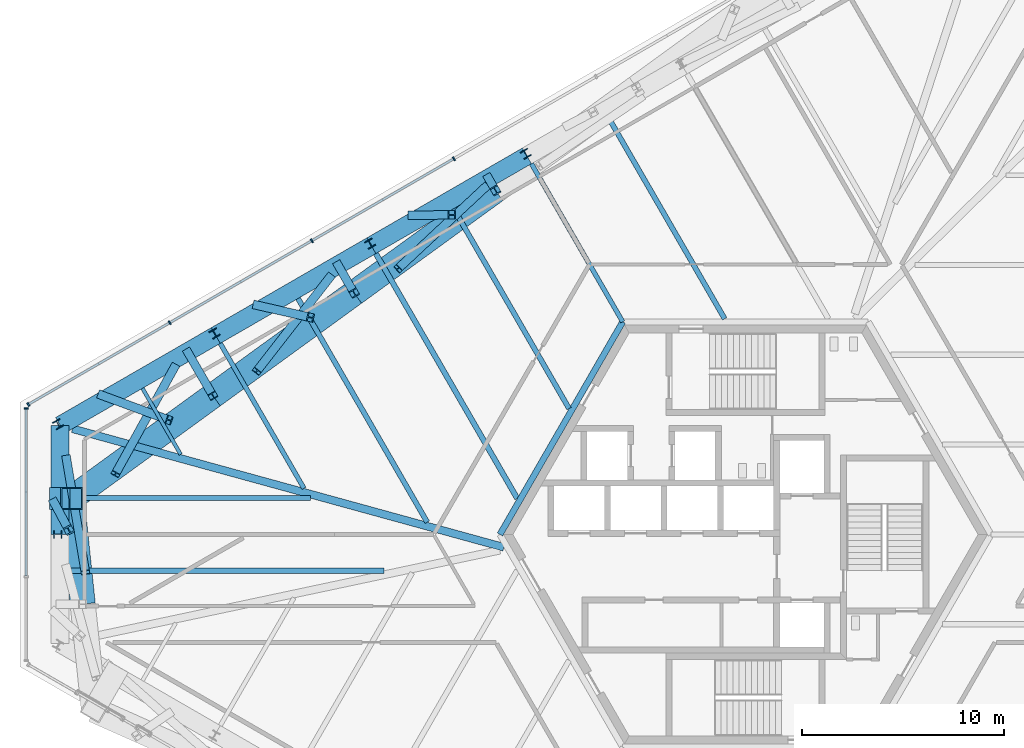
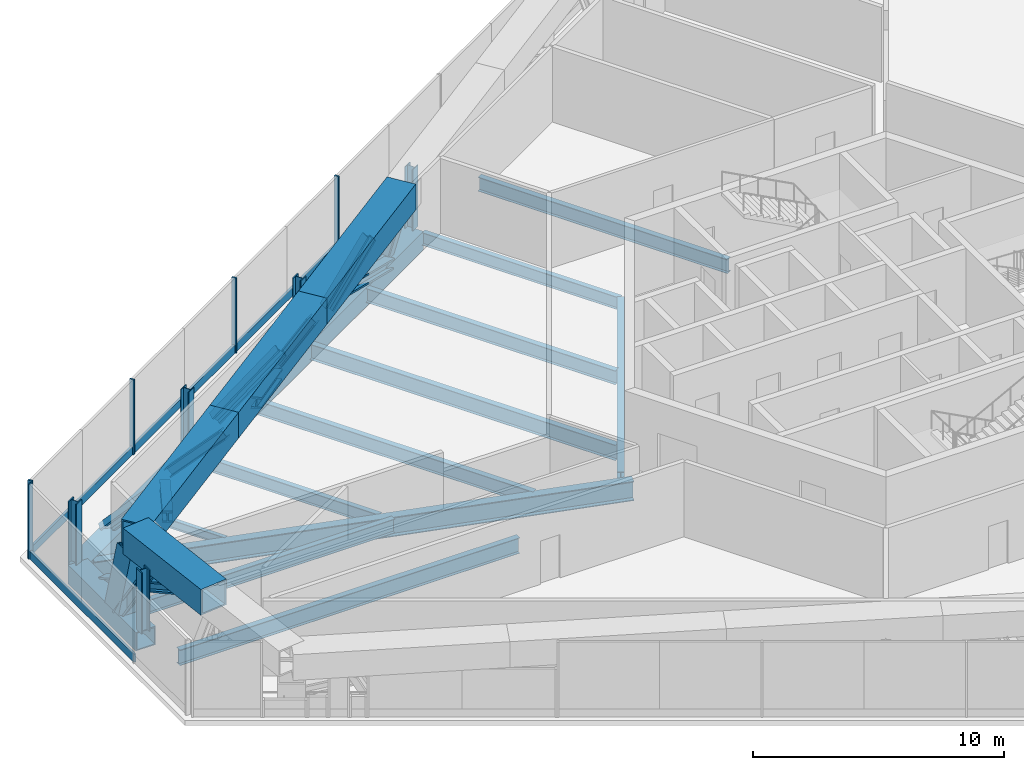
# One storey, part 5 of 23: 34 members, 11 beams, 2 elements without a shape of their own.
"""IFC4 building model written with IfcOpenShell, lengths in metres."""

from ifc_helpers import new_model, si_unit, direction, frame, origin, origin_2d, place, context, subcontext, project, spatial, rectangle, hollow_rectangle, i_section, extrude, source, transform, mapped, material, material_profile, profile_set, type_object, element, aggregate, save


model = new_model("IFC4")

# Units and contexts
model_context = context("Model", 3, precision=1e-05, world=origin(), true_north=direction((0.0, 1.0)))
body_context = subcontext(model_context, "Body", "Model", "MODEL_VIEW")
ifc_project = project(units=[si_unit("LENGTHUNIT", "METRE"), si_unit("AREAUNIT", "SQUARE_METRE"), si_unit("VOLUMEUNIT", "CUBIC_METRE"), si_unit("PLANEANGLEUNIT", "RADIAN"), si_unit("MASSUNIT", "GRAM", prefix="KILO")], contexts=[model_context])

# Site, building, storey
site_placement = place(None, origin())
site = spatial("IfcSite", under=ifc_project, at=site_placement, CompositionType="ELEMENT")
building_placement = place(site_placement, origin())
building = spatial("IfcBuilding", under=site, at=building_placement, Name="Triune Harvest Tower", CompositionType="ELEMENT")
storey_placement = place(building_placement, frame((0.0, 0.0, 54.699951171875)))
storey = spatial("IfcBuildingStorey", under=building, at=storey_placement, Name="L12", CompositionType="ELEMENT", Elevation=54.699951171875)

# Beam
ifc_material_1 = material(Name="Steel ASTM A992 Gr 50", Category="steel")
ifc_material_profile_1 = material_profile(ifc_material_1, i_section(OverallWidth=0.253662109375, OverallDepth=0.683349609375, WebThickness=0.012451171875, FlangeThickness=0.01904296875, at=origin_2d()), Name="W27x94")
ifc_profile_set_1 = profile_set([ifc_material_profile_1], Name="Steel ASTM A992 Gr 50")
beam_type_1 = type_object("IfcBeamType", Name="JT-4 Floor joist W27x94", PredefinedType="JOIST", material=ifc_profile_set_1)
beam_1_placement = place(storey_placement, frame((-33.53857421875, 1.80322265625, -0.591552734375), z_axis=(1.0, 0.0, 0.0), x_axis=(0.0, 1.0, 0.0)))
element("IfcBeam", 1, at=beam_1_placement, inside=storey, type_object=beam_type_1, Name="beam/L12/JT25", PredefinedType="JOIST", context=body_context, shape_type="SweptSolid", body=[
    extrude(i_section(OverallWidth=0.253662109375, OverallDepth=0.683349609375, WebThickness=0.012451171875, FlangeThickness=0.01904296875, at=origin_2d()), origin(), (0.0, 0.0, 1.0), 11.95361328125),
])

# Members
ifc_material_2 = material(Name="Steel ASTM A992 Gr 50", Category="steel")
ifc_material_profile_2 = material_profile(ifc_material_2, i_section(OverallWidth=0.424072265625, OverallDepth=0.47509765625, WebThickness=0.0478515625, FlangeThickness=0.0771484375, at=origin_2d()), Name="W14x426")
ifc_profile_set_2 = profile_set([ifc_material_profile_2], Name="Steel ASTM A992 Gr 50")
member_type_1 = type_object("IfcMemberType", Name="TD-1 Belt truss diagonal W14x426", PredefinedType="BRACE", material=ifc_profile_set_2)
member_1_placement = place(storey_placement, frame((-16.541015625, 15.829833984375, -0.324951171875), z_axis=(0.582478043614, 0.007288191576, 0.812813761554), x_axis=(-0.01251140915, 0.999921729257, 0.0)))
element("IfcMember", 2, at=member_1_placement, inside=storey, type_object=member_type_1, Name="truss/L12/TD24", PredefinedType="BRACE", context=body_context, shape_type="SweptSolid", body=[
    extrude(i_section(OverallWidth=0.424072265625, OverallDepth=0.47509765625, WebThickness=0.0478515625, FlangeThickness=0.0771484375, at=origin_2d()), origin(), (0.0, 0.0, 1.0), 3.38330078125),
])
member_2_placement = place(storey_placement, frame((-20.571044921875, 12.810302734375, -0.324951171875), z_axis=(-0.557713307524, -0.717165964727, 0.417886163504), x_axis=(0.78939619233, -0.61388407011, 0.0)))
element("IfcMember", 3, at=member_2_placement, inside=storey, type_object=member_type_1, Name="truss/L12/TD25", PredefinedType="BRACE", context=body_context, shape_type="SweptSolid", body=[
    extrude(i_section(OverallWidth=0.424072265625, OverallDepth=0.47509765625, WebThickness=0.0478515625, FlangeThickness=0.0771484375, at=origin_2d()), origin(), (0.0, 0.0, 1.0), 6.580810546875),
])
member_3_placement = place(storey_placement, frame((-34.28857421875, 1.58203125, -0.324951171875), z_axis=(0.232028532055, -0.432655869439, 0.871189795023), x_axis=(0.881269102565, 0.472614820825, 0.0)))
element("IfcMember", 4, at=member_3_placement, inside=storey, type_object=member_type_1, Name="truss/L12/TD30", PredefinedType="BRACE", context=body_context, shape_type="SweptSolid", body=[
    extrude(i_section(OverallWidth=0.424072265625, OverallDepth=0.47509765625, WebThickness=0.0478515625, FlangeThickness=0.0771484375, at=origin_2d()), origin(), (0.0, 0.0, 1.0), 3.156494140625),
])
ifc_material_3 = material(Name="Steel ASTM A992 Gr 50", Category="steel")
ifc_material_profile_3 = material_profile(ifc_material_3, i_section(OverallWidth=0.411376953125, OverallDepth=0.434326171875, WebThickness=0.035888671875, FlangeThickness=0.057373046875, at=origin_2d()), Name="W14x311")
ifc_profile_set_3 = profile_set([ifc_material_profile_3], Name="Steel ASTM A992 Gr 50")
member_type_2 = type_object("IfcMemberType", Name="TV-1 Belt truss strut W14x311", PredefinedType="STRUT", material=ifc_profile_set_3)
member_4_placement = place(storey_placement, frame((-27.67041015625, 9.057861328125, -0.27490234375), z_axis=(0.340711714033, -0.590090451111, 0.731921298658), x_axis=(0.866010893236, 0.500025132165, 0.0)))
element("IfcMember", 5, at=member_4_placement, inside=storey, type_object=member_type_2, Name="truss/L12/TS14", PredefinedType="STRUT", context=body_context, shape_type="SweptSolid", body=[
    extrude(i_section(OverallWidth=0.411376953125, OverallDepth=0.434326171875, WebThickness=0.035888671875, FlangeThickness=0.057373046875, at=origin_2d()), origin(), (0.0, 0.0, 1.0), 3.68896484375),
])

# Beams
ifc_material_4 = material(Name="Steel ASTM A992 Gr 50", Category="steel")
ifc_material_profile_4 = material_profile(ifc_material_4, i_section(OverallWidth=0.3046875, OverallDepth=0.914306640625, WebThickness=0.0166015625, FlangeThickness=0.02587890625, at=origin_2d()), Name="W36x160")
ifc_profile_set_4 = profile_set([ifc_material_profile_4], Name="Steel ASTM A992 Gr 50")
beam_type_2 = type_object("IfcBeamType", Name="CG-1 Core ring girder W36x160", PredefinedType="BEAM", material=ifc_profile_set_4)
shared_shape_1 = source(origin(), body_context, "Body", "SweptSolid", [
    extrude(i_section(OverallWidth=0.3046875, OverallDepth=0.914306640625, WebThickness=0.0166015625, FlangeThickness=0.02587890625, at=origin_2d()), origin(), (0.0, 0.0, 1.0), 12.176025390625),
])
beam_2_placement = place(storey_placement, frame((-6.087890625, 10.544677734375, -0.70703125), z_axis=(-0.5000099932, -0.866019634131, 0.0), x_axis=(0.866019634131, -0.5000099932, 0.0)))
element("IfcBeam", 6, at=beam_2_placement, inside=storey, type_object=beam_type_2, Name="beam/L12/CG3", PredefinedType="BEAM", context=body_context, shape_type="MappedRepresentation", body=[
    mapped(shared_shape_1, transform((0.0, 0.0, 0.0), scale=1.0)),
])
ifc_material_5 = material(Name="Steel ASTM A992 Gr 50", Category="steel")
ifc_material_profile_5 = material_profile(ifc_material_5, i_section(OverallWidth=0.383544921875, OverallDepth=0.9423828125, WebThickness=0.022216796875, FlangeThickness=0.039794921875, at=origin_2d()), Name="W36x232")
ifc_profile_set_5 = profile_set([ifc_material_profile_5], Name="Steel ASTM A992 Gr 50")
beam_type_3 = type_object("IfcBeamType", Name="HG-1 Hip girder W36x232", PredefinedType="BEAM", material=ifc_profile_set_5)
shared_shape_2 = source(origin(), body_context, "Body", "SweptSolid", [
    extrude(i_section(OverallWidth=0.383544921875, OverallDepth=0.9423828125, WebThickness=0.022216796875, FlangeThickness=0.039794921875, at=origin_2d()), origin(), (0.0, 0.0, 1.0), 22.1865234375),
])
beam_3_placement = place(storey_placement, frame((-33.37890625, 5.242431640625, -0.72119140625), z_axis=(0.9642700007, -0.264921433165, 0.0), x_axis=(0.264921433165, 0.9642700007, 0.0)))
element("IfcBeam", 7, at=beam_3_placement, inside=storey, type_object=beam_type_3, Name="beam/L12/HG4", PredefinedType="BEAM", context=body_context, shape_type="MappedRepresentation", body=[
    mapped(shared_shape_2, transform((0.0, 0.0, 0.0), scale=1.0)),
])
ifc_material_6 = material(Name="Steel ASTM A992 Gr 50", Category="steel")
ifc_material_profile_6 = material_profile(ifc_material_6, i_section(OverallWidth=0.2666015625, OverallDepth=0.7568359375, WebThickness=0.013916015625, FlangeThickness=0.019287109375, at=origin_2d()), Name="W30x108")
ifc_profile_set_6 = profile_set([ifc_material_profile_6], Name="Steel ASTM A992 Gr 50")
beam_type_4 = type_object("IfcBeamType", Name="JT-5 Floor joist W30x108", PredefinedType="JOIST", material=ifc_profile_set_6)
shared_shape_3 = source(origin(), body_context, "Body", "SweptSolid", [
    extrude(i_section(OverallWidth=0.2666015625, OverallDepth=0.7568359375, WebThickness=0.013916015625, FlangeThickness=0.019287109375, at=origin_2d()), origin(), (0.0, 0.0, 1.0), 14.021728515625),
])
beam_4_placement = place(storey_placement, frame((-18.3310546875, 13.930419921875, -0.62841796875), z_axis=(0.499989226071, -0.866031624026, 0.0), x_axis=(0.866031624026, 0.499989226071, 0.0)))
element("IfcBeam", 8, at=beam_4_placement, inside=storey, type_object=beam_type_4, Name="beam/L12/JT21", PredefinedType="JOIST", context=body_context, shape_type="MappedRepresentation", body=[
    mapped(shared_shape_3, transform((0.0, 0.0, 0.0), scale=1.0)),
])
shared_shape_4 = source(origin(), body_context, "Body", "SweptSolid", [
    extrude(i_section(OverallWidth=0.253662109375, OverallDepth=0.683349609375, WebThickness=0.012451171875, FlangeThickness=0.01904296875, at=origin_2d()), origin(), (0.0, 0.0, 1.0), 11.44970703125),
])
beam_5_placement = place(storey_placement, frame((-6.756591796875, 20.61279296875, -0.591552734375), z_axis=(0.49999870171, -0.866026153351, 0.0), x_axis=(0.866026153351, 0.49999870171, 0.0)))
element("IfcBeam", 9, at=beam_5_placement, inside=storey, type_object=beam_type_1, Name="beam/L12/JT18", PredefinedType="JOIST", context=body_context, shape_type="MappedRepresentation", body=[
    mapped(shared_shape_4, transform((0.0, 0.0, 0.0), scale=1.0)),
])
ifc_material_7 = material(Name="Steel ASTM A992 Gr 50", Category="steel")
ifc_material_profile_7 = material_profile(ifc_material_7, i_section(OverallWidth=0.22900390625, OverallDepth=0.612060546875, WebThickness=0.011962890625, FlangeThickness=0.01953125, at=origin_2d()), Name="W24x84")
ifc_profile_set_7 = profile_set([ifc_material_profile_7], Name="Steel ASTM A992 Gr 50")
beam_type_5 = type_object("IfcBeamType", Name="JT-3 Floor joist W24x84", PredefinedType="JOIST", material=ifc_profile_set_7)
shared_shape_5 = source(origin(), body_context, "Body", "SweptSolid", [
    extrude(i_section(OverallWidth=0.22900390625, OverallDepth=0.612060546875, WebThickness=0.011962890625, FlangeThickness=0.01953125, at=origin_2d()), origin(), (0.0, 0.0, 1.0), 9.053466796875),
])
beam_6_placement = place(storey_placement, frame((-10.61474609375, 18.38525390625, -0.55615234375), z_axis=(0.500008011075, -0.866020778539, 0.0), x_axis=(0.866020778539, 0.500008011075, 0.0)))
element("IfcBeam", 10, at=beam_6_placement, inside=storey, type_object=beam_type_5, Name="beam/L12/JT19", PredefinedType="JOIST", context=body_context, shape_type="MappedRepresentation", body=[
    mapped(shared_shape_5, transform((0.0, 0.0, 0.0), scale=1.0)),
])
shared_shape_6 = source(origin(), body_context, "Body", "SweptSolid", [
    extrude(i_section(OverallWidth=0.253662109375, OverallDepth=0.683349609375, WebThickness=0.012451171875, FlangeThickness=0.01904296875, at=origin_2d()), origin(), (0.0, 0.0, 1.0), 12.8125),
])
beam_7_placement = place(storey_placement, frame((-22.189208984375, 11.702880859375, -0.591552734375), z_axis=(0.500000108836, -0.866025340948, 0.0), x_axis=(0.866025340948, 0.500000108836, 0.0)))
element("IfcBeam", 11, at=beam_7_placement, inside=storey, type_object=beam_type_1, Name="beam/L12/JT22", PredefinedType="JOIST", context=body_context, shape_type="MappedRepresentation", body=[
    mapped(shared_shape_6, transform((0.0, 0.0, 0.0), scale=1.0)),
])
shared_shape_7 = source(origin(), body_context, "Body", "SweptSolid", [
    extrude(i_section(OverallWidth=0.22900390625, OverallDepth=0.612060546875, WebThickness=0.011962890625, FlangeThickness=0.01953125, at=origin_2d()), origin(), (0.0, 0.0, 1.0), 8.300537109375),
])
beam_8_placement = place(storey_placement, frame((-26.04736328125, 9.475341796875, -0.55615234375), z_axis=(0.500011000363, -0.866019052629, 0.0), x_axis=(0.866019052629, 0.500011000363, 0.0)))
element("IfcBeam", 12, at=beam_8_placement, inside=storey, type_object=beam_type_5, Name="beam/L12/JT23", PredefinedType="JOIST", context=body_context, shape_type="MappedRepresentation", body=[
    mapped(shared_shape_7, transform((0.0, 0.0, 0.0), scale=1.0)),
])
ifc_material_8 = material(Name="Steel ASTM A992 Gr 50", Category="steel")
ifc_material_profile_8 = material_profile(ifc_material_8, i_section(OverallWidth=0.180908203125, OverallDepth=0.41650390625, WebThickness=0.010986328125, FlangeThickness=0.01806640625, at=origin_2d()), Name="W16x57")
ifc_profile_set_8 = profile_set([ifc_material_profile_8], Name="Steel ASTM A992 Gr 50")
beam_type_6 = type_object("IfcBeamType", Name="JT-1 Floor joist W16x57", PredefinedType="JOIST", material=ifc_profile_set_8)
shared_shape_8 = source(origin(), body_context, "Body", "SweptSolid", [
    extrude(i_section(OverallWidth=0.180908203125, OverallDepth=0.41650390625, WebThickness=0.010986328125, FlangeThickness=0.01806640625, at=origin_2d()), origin(), (0.0, 0.0, 1.0), 3.788818359375),
])
beam_9_placement = place(storey_placement, frame((-29.905517578125, 7.247802734375, -0.458251953125), z_axis=(0.50001992892, -0.866013897511, 0.0), x_axis=(0.866013897511, 0.50001992892, 0.0)))
element("IfcBeam", 13, at=beam_9_placement, inside=storey, type_object=beam_type_6, Name="beam/L12/JT24", PredefinedType="JOIST", context=body_context, shape_type="MappedRepresentation", body=[
    mapped(shared_shape_8, transform((0.0, 0.0, 0.0), scale=1.0)),
])
shared_shape_9 = source(origin(), body_context, "Body", "SweptSolid", [
    extrude(i_section(OverallWidth=0.2666015625, OverallDepth=0.7568359375, WebThickness=0.013916015625, FlangeThickness=0.019287109375, at=origin_2d()), origin(), (0.0, 0.0, 1.0), 15.610107421875),
])
beam_10_placement = place(storey_placement, frame((-33.53857421875, -1.80322265625, -0.62841796875), z_axis=(1.0, 0.0, 0.0), x_axis=(0.0, 1.0, 0.0)))
element("IfcBeam", 14, at=beam_10_placement, inside=storey, type_object=beam_type_4, Name="beam/L12/JT26", PredefinedType="JOIST", context=body_context, shape_type="MappedRepresentation", body=[
    mapped(shared_shape_9, transform((0.0, 0.0, 0.0), scale=1.0)),
])
shared_shape_10 = source(origin(), body_context, "Body", "SweptSolid", [
    extrude(i_section(OverallWidth=0.253662109375, OverallDepth=0.683349609375, WebThickness=0.012451171875, FlangeThickness=0.01904296875, at=origin_2d()), origin(), (0.0, 0.0, 1.0), 11.449462890625),
])
beam_11_placement = place(storey_placement, frame((-14.472900390625, 16.15771484375, -0.591552734375), z_axis=(0.500007934886, -0.866020822528, 0.0), x_axis=(0.866020822528, 0.500007934886, 0.0)))
element("IfcBeam", 15, at=beam_11_placement, inside=storey, type_object=beam_type_1, Name="beam/L12/JT20", PredefinedType="JOIST", context=body_context, shape_type="MappedRepresentation", body=[
    mapped(shared_shape_10, transform((0.0, 0.0, 0.0), scale=1.0)),
])

# Members
ifc_material_9 = material(Name="Steel ASTM A992 Gr 50", Category="steel")
ifc_material_profile_9 = material_profile(ifc_material_9, i_section(OverallWidth=0.40380859375, OverallDepth=0.406494140625, WebThickness=0.027099609375, FlangeThickness=0.043701171875, at=origin_2d()), Name="W14x233")
ifc_profile_set_9 = profile_set([ifc_material_profile_9], Name="Steel ASTM A992 Gr 50")
member_type_3 = type_object("IfcMemberType", Name="WP-1 Roof edge post W14x233", PredefinedType="POST", material=ifc_profile_set_9)
shared_shape_11 = source(origin(), body_context, "Body", "SweptSolid", [
    extrude(i_section(OverallWidth=0.40380859375, OverallDepth=0.406494140625, WebThickness=0.027099609375, FlangeThickness=0.043701171875, at=origin_2d()), origin(), (0.0, 0.0, 1.0), 2.9755859375),
])
for number, where, z_axis, x_axis, name in (
    (16, (-10.899658203125, 18.87890625, -0.25), (0.0, 0.0, 1.0), (-0.866025403784, -0.5, 0.0), "post/L12/W11"),
    (17, (-18.615966796875, 14.423828125, -0.25), (0.0, 0.0, 1.0), (-0.866025403784, -0.5, 0.0), "post/L12/W12"),
    (18, (-26.332275390625, 9.968994140625, -0.25), (0.0, 0.0, 1.0), (-0.866025403784, -0.5, 0.0), "post/L12/W13"),
    (19, (-34.092529296875, 5.469970703125, -0.25), (0.0, 0.0, 1.0), (-0.866025403784, -0.5, 0.0), "post/L12/W14"),
    (20, (-34.108642578125, 0.0, -0.25), (0.0, 0.0, 1.0), (0.0, -1.0, 0.0), "post/L12/W15"),
):
    element("IfcMember", number, at=place(storey_placement, frame(where, z_axis=z_axis, x_axis=x_axis)), inside=storey, type_object=member_type_3, Name=name, PredefinedType="POST", context=body_context, shape_type="MappedRepresentation", body=[
        mapped(shared_shape_11, transform((0.0, 0.0, 0.0), scale=1.0)),
    ])
ifc_material_10 = material(Name="Steel ASTM A572 Gr 50", Category="steel")
ifc_material_profile_10 = material_profile(ifc_material_10, hollow_rectangle(XDim=0.89990234375, YDim=0.89990234375, WallThickness=0.050048828125, at=origin_2d()), Name="Box 900x900x50")
ifc_profile_set_10 = profile_set([ifc_material_profile_10], Name="Steel ASTM A572 Gr 50")
member_type_4 = type_object("IfcMemberType", Name="TC-2 Belt truss chord Box 900x900x50", PredefinedType="CHORD", material=ifc_profile_set_10)
shared_shape_12 = source(origin(), body_context, "Body", "SweptSolid", [
    extrude(hollow_rectangle(XDim=0.89990234375, YDim=0.89990234375, WallThickness=0.050048828125, at=origin_2d()), origin(), (0.0, 0.0, 1.0), 8.909912109375),
])
member_5_placement = place(storey_placement, frame((-10.839599609375, 18.77490234375, -0.699951171875), z_axis=(-0.866034096015, -0.499984944314, 0.0), x_axis=(0.499984944314, -0.866034096015, 0.0)))
element("IfcMember", 21, at=member_5_placement, inside=storey, type_object=member_type_4, Name="truss/L12/TCB12", PredefinedType="CHORD", context=body_context, shape_type="MappedRepresentation", body=[
    mapped(shared_shape_12, transform((0.0, 0.0, 0.0), scale=1.0)),
])
shared_shape_13 = source(origin(), body_context, "Body", "SweptSolid", [
    extrude(hollow_rectangle(XDim=0.89990234375, YDim=0.89990234375, WallThickness=0.050048828125, at=origin_2d()), origin(), (0.0, 0.0, 1.0), 8.91015625),
])
for number, where, z_axis, x_axis, name in (
    (22, (-18.555908203125, 14.320068359375, -0.699951171875), (-0.866022231217, -0.500005495009, 0.0), (0.500005495009, -0.866022231217, 0.0), "truss/L12/TCB13"),
    (23, (-26.272216796875, 9.864990234375, -0.699951171875), (-0.866022231217, -0.500005495009, 0.0), (0.500005495009, -0.866022231217, 0.0), "truss/L12/TCB14"),
):
    element("IfcMember", number, at=place(storey_placement, frame(where, z_axis=z_axis, x_axis=x_axis)), inside=storey, type_object=member_type_4, Name=name, PredefinedType="CHORD", context=body_context, shape_type="MappedRepresentation", body=[
        mapped(shared_shape_13, transform((0.0, 0.0, 0.0), scale=1.0)),
    ])
shared_shape_14 = source(origin(), body_context, "Body", "SweptSolid", [
    extrude(hollow_rectangle(XDim=0.89990234375, YDim=0.89990234375, WallThickness=0.050048828125, at=origin_2d()), origin(), (0.0, 0.0, 1.0), 5.409912109375),
])
member_6_placement = place(storey_placement, frame((-33.988525390625, 5.409912109375, -0.699951171875), z_axis=(0.0, -1.0, 0.0), x_axis=(1.0, 0.0, 0.0)))
element("IfcMember", 24, at=member_6_placement, inside=storey, type_object=member_type_4, Name="truss/L12/TCB15", PredefinedType="CHORD", context=body_context, shape_type="MappedRepresentation", body=[
    mapped(shared_shape_14, transform((0.0, 0.0, 0.0), scale=1.0)),
])
ifc_material_11 = material(Name="Steel ASTM A572 Gr 50", Category="steel")
ifc_material_profile_11 = material_profile(ifc_material_11, hollow_rectangle(XDim=1.25, YDim=1.25, WallThickness=0.070068359375, at=origin_2d()), Name="Box 1250x1250x70")
ifc_profile_set_11 = profile_set([ifc_material_profile_11], Name="Steel ASTM A572 Gr 50")
member_type_5 = type_object("IfcMemberType", Name="TC-1 Belt truss chord Box 1250x1250x70", PredefinedType="CHORD", material=ifc_profile_set_11)
shared_shape_15 = source(origin(), body_context, "Body", "SweptSolid", [
    extrude(hollow_rectangle(XDim=1.25, YDim=1.25, WallThickness=0.070068359375, at=origin_2d()), origin(), (0.0, 0.0, 1.0), 8.662109375),
])
for number, where, z_axis, x_axis, name in (
    (25, (-12.39794921875, 17.064208984375, 3.01513671875), (-0.809012661611, -0.587791215785, 0.0), (0.587791215785, -0.809012661611, 0.0), "truss/L12/TCT12"),
    (26, (-19.40576171875, 11.97265625, 3.01513671875), (-0.809012661611, -0.587791215785, 0.0), (0.587791215785, -0.809012661611, 0.0), "truss/L12/TCT13"),
    (27, (-26.41357421875, 6.881103515625, 3.01513671875), (-0.809026064292, -0.58777276842, 0.0), (0.58777276842, -0.809026064292, 0.0), "truss/L12/TCT14"),
):
    element("IfcMember", number, at=place(storey_placement, frame(where, z_axis=z_axis, x_axis=x_axis)), inside=storey, type_object=member_type_5, Name=name, PredefinedType="CHORD", context=body_context, shape_type="MappedRepresentation", body=[
        mapped(shared_shape_15, transform((0.0, 0.0, 0.0), scale=1.0)),
    ])
shared_shape_16 = source(origin(), body_context, "Body", "SweptSolid", [
    extrude(hollow_rectangle(XDim=1.25, YDim=1.25, WallThickness=0.070068359375, at=origin_2d()), origin(), (0.0, 0.0, 1.0), 5.2734375),
])
member_7_placement = place(storey_placement, frame((-33.42138671875, 1.789794921875, 3.01513671875), z_axis=(0.104489579192, -0.994525981481, 0.0), x_axis=(0.994525981481, 0.104489579192, 0.0)))
element("IfcMember", 28, at=member_7_placement, inside=storey, type_object=member_type_5, Name="truss/L12/TCT15", PredefinedType="CHORD", context=body_context, shape_type="MappedRepresentation", body=[
    mapped(shared_shape_16, transform((0.0, 0.0, 0.0), scale=1.0)),
])
shared_shape_17 = source(origin(), body_context, "Body", "SweptSolid", [
    extrude(i_section(OverallWidth=0.411376953125, OverallDepth=0.434326171875, WebThickness=0.035888671875, FlangeThickness=0.057373046875, at=origin_2d()), origin(), (0.0, 0.0, 1.0), 2.789794921875),
])
member_8_placement = place(storey_placement, frame((-12.7490234375, 17.672607421875, -0.27490234375), z_axis=(0.125840828813, -0.218077430738, 0.967784232154), x_axis=(0.866139291375, 0.499802689004, 0.0)))
element("IfcMember", 29, at=member_8_placement, inside=storey, type_object=member_type_2, Name="truss/L12/TS12", PredefinedType="STRUT", context=body_context, shape_type="MappedRepresentation", body=[
    mapped(shared_shape_17, transform((0.0, 0.0, 0.0), scale=1.0)),
])
shared_shape_18 = source(origin(), body_context, "Body", "SweptSolid", [
    extrude(i_section(OverallWidth=0.411376953125, OverallDepth=0.434326171875, WebThickness=0.035888671875, FlangeThickness=0.057373046875, at=origin_2d()), origin(), (0.0, 0.0, 1.0), 3.142578125),
])
member_9_placement = place(storey_placement, frame((-20.209716796875, 13.365234375, -0.27490234375), z_axis=(0.255832342786, -0.443142327134, 0.859170931938), x_axis=(0.866038942563, 0.499976549414, 0.0)))
element("IfcMember", 30, at=member_9_placement, inside=storey, type_object=member_type_2, Name="truss/L12/TS13", PredefinedType="STRUT", context=body_context, shape_type="MappedRepresentation", body=[
    mapped(shared_shape_18, transform((0.0, 0.0, 0.0), scale=1.0)),
])
ifc_material_12 = material(Name="Steel ASTM A572 Gr 50", Category="steel")
ifc_material_profile_12 = material_profile(ifc_material_12, hollow_rectangle(XDim=1.10009765625, YDim=1.10009765625, WallThickness=0.06005859375, at=origin_2d()), Name="Box 1100x1100x60")
ifc_profile_set_12 = profile_set([ifc_material_profile_12], Name="Steel ASTM A572 Gr 50")
member_type_6 = type_object("IfcMemberType", Name="TS-1 Belt truss raked strut Box 1100x1100x60", PredefinedType="STRUT", material=ifc_profile_set_12)
shared_shape_19 = source(origin(), body_context, "Body", "SweptSolid", [
    extrude(hollow_rectangle(XDim=1.10009765625, YDim=1.10009765625, WallThickness=0.06005859375, at=origin_2d()), origin(), (0.0, 0.0, 1.0), 2.7587890625),
])
member_10_placement = place(storey_placement, frame((-33.988525390625, 1.789794921875, -0.27490234375), z_axis=(0.205568934651, 0.0, 0.9786426381), x_axis=(0.0, 1.0, 0.0)))
element("IfcMember", 31, at=member_10_placement, inside=storey, type_object=member_type_6, Name="truss/L12/TS15", PredefinedType="STRUT", context=body_context, shape_type="MappedRepresentation", body=[
    mapped(shared_shape_19, transform((0.0, 0.0, 0.0), scale=1.0)),
])
shared_shape_20 = source(origin(), body_context, "Body", "SweptSolid", [
    extrude(i_section(OverallWidth=0.424072265625, OverallDepth=0.47509765625, WebThickness=0.0478515625, FlangeThickness=0.0771484375, at=origin_2d()), origin(), (0.0, 0.0, 1.0), 6.588134765625),
])
member_11_placement = place(storey_placement, frame((-12.854736328125, 17.26513671875, -0.324951171875), z_axis=(-0.664603050877, -0.619725483429, 0.417424376329), x_axis=(0.681982533427, -0.731368459875, 0.0)))
element("IfcMember", 32, at=member_11_placement, inside=storey, type_object=member_type_1, Name="truss/L12/TD23", PredefinedType="BRACE", context=body_context, shape_type="MappedRepresentation", body=[
    mapped(shared_shape_20, transform((0.0, 0.0, 0.0), scale=1.0)),
])
shared_shape_21 = source(origin(), body_context, "Body", "SweptSolid", [
    extrude(i_section(OverallWidth=0.424072265625, OverallDepth=0.47509765625, WebThickness=0.0478515625, FlangeThickness=0.0771484375, at=origin_2d()), origin(), (0.0, 0.0, 1.0), 4.5380859375),
])
member_12_placement = place(storey_placement, frame((-31.973388671875, 6.919921875, -0.324951171875), z_axis=(0.746401359974, -0.275072088334, 0.605987092312), x_axis=(0.345796246394, 0.938309626925, 0.0)))
element("IfcMember", 33, at=member_12_placement, inside=storey, type_object=member_type_1, Name="truss/L12/TD28", PredefinedType="BRACE", context=body_context, shape_type="MappedRepresentation", body=[
    mapped(shared_shape_21, transform((0.0, 0.0, 0.0), scale=1.0)),
])
shared_shape_22 = source(origin(), body_context, "Body", "SweptSolid", [
    extrude(i_section(OverallWidth=0.424072265625, OverallDepth=0.47509765625, WebThickness=0.0478515625, FlangeThickness=0.0771484375, at=origin_2d()), origin(), (0.0, 0.0, 1.0), 6.408447265625),
])
member_13_placement = place(storey_placement, frame((-33.688720703125, 3.827880859375, -0.324951171875), z_axis=(0.148727974451, -0.890920187119, 0.429116778744), x_axis=(0.986350572706, 0.164658882915, 0.0)))
element("IfcMember", 34, at=member_13_placement, inside=storey, type_object=member_type_1, Name="truss/L12/TD29", PredefinedType="BRACE", context=body_context, shape_type="MappedRepresentation", body=[
    mapped(shared_shape_22, transform((0.0, 0.0, 0.0), scale=1.0)),
])
shared_shape_23 = source(origin(), body_context, "Body", "SweptSolid", [
    extrude(i_section(OverallWidth=0.424072265625, OverallDepth=0.47509765625, WebThickness=0.0478515625, FlangeThickness=0.0771484375, at=origin_2d()), origin(), (0.0, 0.0, 1.0), 3.8876953125),
])
member_14_placement = place(storey_placement, frame((-24.257080078125, 11.374755859375, -0.324951171875), z_axis=(0.689105123117, -0.157314165079, 0.707379942294), x_axis=(0.222561836484, 0.974918575544, 0.0)))
element("IfcMember", 35, at=member_14_placement, inside=storey, type_object=member_type_1, Name="truss/L12/TD26", PredefinedType="BRACE", context=body_context, shape_type="MappedRepresentation", body=[
    mapped(shared_shape_23, transform((0.0, 0.0, 0.0), scale=1.0)),
])
shared_shape_24 = source(origin(), body_context, "Body", "SweptSolid", [
    extrude(i_section(OverallWidth=0.424072265625, OverallDepth=0.47509765625, WebThickness=0.0478515625, FlangeThickness=0.0771484375, at=origin_2d()), origin(), (0.0, 0.0, 1.0), 6.709716796875),
])
member_15_placement = place(storey_placement, frame((-28.287353515625, 8.355224609375, -0.324951171875), z_axis=(-0.441400310079, -0.798239222035, 0.40985352343), x_axis=(0.875117073613, -0.483911259914, 0.0)))
element("IfcMember", 36, at=member_15_placement, inside=storey, type_object=member_type_1, Name="truss/L12/TD27", PredefinedType="BRACE", context=body_context, shape_type="MappedRepresentation", body=[
    mapped(shared_shape_24, transform((0.0, 0.0, 0.0), scale=1.0)),
])

# Curtain wall, members
ifc_material_13 = material(Name="Aluminium bronze anodised", Category="aluminium")
curtain_wall_type = type_object("IfcCurtainWallType", Name="CW-5 Plant louvre wall", PredefinedType="NOTDEFINED", material=ifc_material_13)
curtain_wall_1_placement = place(storey_placement, origin())
curtain_wall_1 = element("IfcCurtainWall", 37, at=curtain_wall_1_placement, inside=storey, type_object=curtain_wall_type, Name="CW-5 B1-F3 L12 run 601")
ifc_material_14 = material(Name="Aluminium bronze anodised", Category="aluminium")
ifc_material_profile_13 = material_profile(ifc_material_14, rectangle(XDim=0.199951171875, YDim=0.080078125, at=origin_2d()), Name="MU-5 mullion 80 x 200")
ifc_profile_set_13 = profile_set([ifc_material_profile_13], Name="Aluminium bronze anodised")
member_type_7 = type_object("IfcMemberType", Name="MU-5 mullion 80 x 200", PredefinedType="MULLION", material=ifc_profile_set_13)
shared_shape_25 = source(origin(), body_context, "Body", "SweptSolid", [
    extrude(rectangle(XDim=0.199951171875, YDim=0.080078125, at=origin_2d()), origin(), (0.0, 0.0, 1.0), 3.64013671875),
])
member_16_placement = place(storey_placement, frame((-14.46044921875, 18.63818359375, 0.0), z_axis=(0.0, 0.0, 1.0), x_axis=(0.499999093644, -0.866025927069, 0.0)))
member_16 = element("IfcMember", 38, at=member_16_placement, type_object=member_type_7, Name="CW-5 mullion B1-F3 601.5", PredefinedType="MULLION", context=body_context, shape_type="MappedRepresentation", body=[
    mapped(shared_shape_25, transform((0.0, 0.0, 0.0), scale=1.0)),
])
member_17_placement = place(storey_placement, frame((-21.5078125, 14.5693359375, 0.0), z_axis=(0.0, 0.0, 1.0), x_axis=(0.499999093644, -0.866025927069, 0.0)))
member_17 = element("IfcMember", 39, at=member_17_placement, type_object=member_type_7, Name="CW-5 mullion B1-F3 601.7", PredefinedType="MULLION", context=body_context, shape_type="MappedRepresentation", body=[
    mapped(shared_shape_25, transform((0.0, 0.0, 0.0), scale=1.0)),
])
member_18_placement = place(storey_placement, frame((-28.55517578125, 10.500732421875, 0.0), z_axis=(0.0, 0.0, 1.0), x_axis=(0.499999093644, -0.866025927069, 0.0)))
member_18 = element("IfcMember", 40, at=member_18_placement, type_object=member_type_7, Name="CW-5 mullion B1-F3 601.9", PredefinedType="MULLION", context=body_context, shape_type="MappedRepresentation", body=[
    mapped(shared_shape_25, transform((0.0, 0.0, 0.0), scale=1.0)),
])
member_19_placement = place(storey_placement, frame((-35.56787109375, 6.451904296875, 0.0), z_axis=(0.0, 0.0, 1.0), x_axis=(0.499999093644, -0.866025927069, 0.0)))
member_19 = element("IfcMember", 41, at=member_19_placement, type_object=member_type_7, Name="CW-5 mullion B1-F3 601.11", PredefinedType="MULLION", context=body_context, shape_type="MappedRepresentation", body=[
    mapped(shared_shape_25, transform((0.0, 0.0, 0.0), scale=1.0)),
])

# Curtain wall, member
curtain_wall_2_placement = place(storey_placement, origin())
curtain_wall_2 = element("IfcCurtainWall", 42, at=curtain_wall_2_placement, inside=storey, type_object=curtain_wall_type, Name="CW-5 B1-F4 L12 run 1")
member_20_placement = place(storey_placement, frame((-35.680419921875, 6.2568359375, 0.0), z_axis=(0.0, 0.0, 1.0), x_axis=(1.0, 0.0, 0.0)))
member_20 = element("IfcMember", 43, at=member_20_placement, type_object=member_type_7, Name="CW-5 mullion B1-F4 1.1", PredefinedType="MULLION", context=body_context, shape_type="MappedRepresentation", body=[
    mapped(shared_shape_25, transform((0.0, 0.0, 0.0), scale=1.0)),
])

# Member
ifc_material_15 = material(Name="Aluminium bronze anodised", Category="aluminium")
ifc_material_profile_14 = material_profile(ifc_material_15, rectangle(XDim=0.10009765625, YDim=0.39990234375, at=origin_2d()), Name="TR-5 transom 100 x 400")
ifc_profile_set_14 = profile_set([ifc_material_profile_14], Name="Aluminium bronze anodised")
member_type_8 = type_object("IfcMemberType", Name="TR-5 transom 100 x 400", PredefinedType="USERDEFINED", material=ifc_profile_set_14)
shared_shape_26 = source(origin(), body_context, "Body", "SweptSolid", [
    extrude(rectangle(XDim=0.10009765625, YDim=0.39990234375, at=origin_2d()), origin(), (0.0, 0.0, 1.0), 8.017578125),
])
member_21_placement = place(storey_placement, frame((-28.58984375, 10.480712890625, 0.199951171875), z_axis=(-0.866010130123, -0.500026453824, 0.0), x_axis=(0.500026453824, -0.866010130123, 0.0)))
member_21 = element("IfcMember", 44, at=member_21_placement, type_object=member_type_8, Name="CW-5 transom B1-F3 601.5", ObjectType="TRANSOM", PredefinedType="USERDEFINED", context=body_context, shape_type="MappedRepresentation", body=[
    mapped(shared_shape_26, transform((0.0, 0.0, 0.0), scale=1.0)),
])

shared_shape_27 = source(origin(), body_context, "Body", "SweptSolid", [
    extrude(rectangle(XDim=0.10009765625, YDim=0.39990234375, at=origin_2d()), origin(), (0.0, 0.0, 1.0), 8.057861328125),
])
member_22_placement = place(storey_placement, frame((-14.494873046875, 18.6181640625, 0.199951171875), z_axis=(-0.866030687647, -0.499990847971, 0.0), x_axis=(0.499990847971, -0.866030687647, 0.0)))
member_22 = element("IfcMember", 45, at=member_22_placement, type_object=member_type_8, Name="CW-5 transom B1-F3 601.3", ObjectType="TRANSOM", PredefinedType="USERDEFINED", context=body_context, shape_type="MappedRepresentation", body=[
    mapped(shared_shape_27, transform((0.0, 0.0, 0.0), scale=1.0)),
])

shared_shape_28 = source(origin(), body_context, "Body", "SweptSolid", [
    extrude(rectangle(XDim=0.10009765625, YDim=0.39990234375, at=origin_2d()), origin(), (0.0, 0.0, 1.0), 8.0576171875),
])
member_23_placement = place(storey_placement, frame((-21.54248046875, 14.549560546875, 0.199951171875), z_axis=(-0.866009992645, -0.500026691926, 0.0), x_axis=(0.500026691926, -0.866009992645, 0.0)))
member_23 = element("IfcMember", 46, at=member_23_placement, type_object=member_type_8, Name="CW-5 transom B1-F3 601.4", ObjectType="TRANSOM", PredefinedType="USERDEFINED", context=body_context, shape_type="MappedRepresentation", body=[
    mapped(shared_shape_28, transform((0.0, 0.0, 0.0), scale=1.0)),
])

aggregate(curtain_wall_1, [member_16, member_17, member_18, member_19, member_22, member_23, member_21])

shared_shape_29 = source(origin(), body_context, "Body", "SweptSolid", [
    extrude(rectangle(XDim=0.10009765625, YDim=0.39990234375, at=origin_2d()), origin(), (0.0, 0.0, 1.0), 8.275634765625),
])
member_24_placement = place(storey_placement, frame((-35.680419921875, 6.216796875, 0.199951171875), z_axis=(0.0, -1.0, 0.0), x_axis=(1.0, 0.0, 0.0)))
member_24 = element("IfcMember", 47, at=member_24_placement, type_object=member_type_8, Name="CW-5 transom B1-F4 1.1", ObjectType="TRANSOM", PredefinedType="USERDEFINED", context=body_context, shape_type="MappedRepresentation", body=[
    mapped(shared_shape_29, transform((0.0, 0.0, 0.0), scale=1.0)),
])

aggregate(curtain_wall_2, [member_20, member_24])

save(model, "model.ifc")
